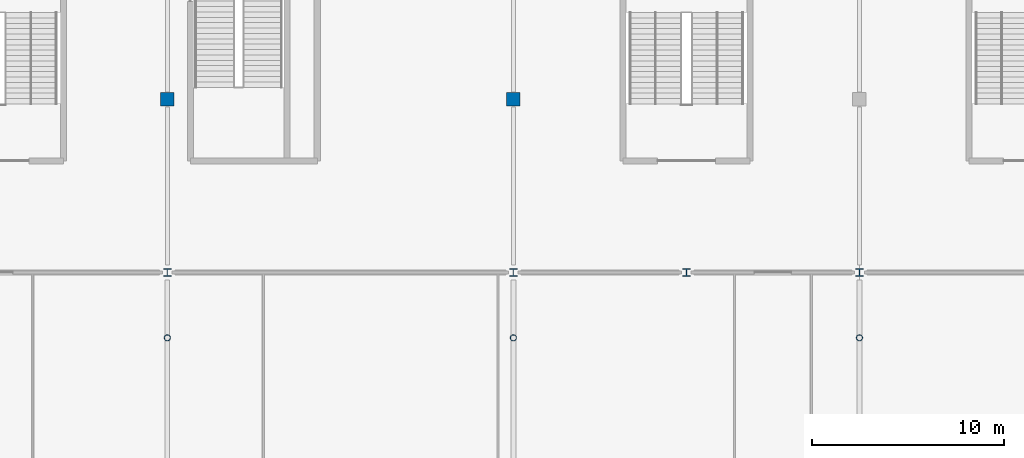
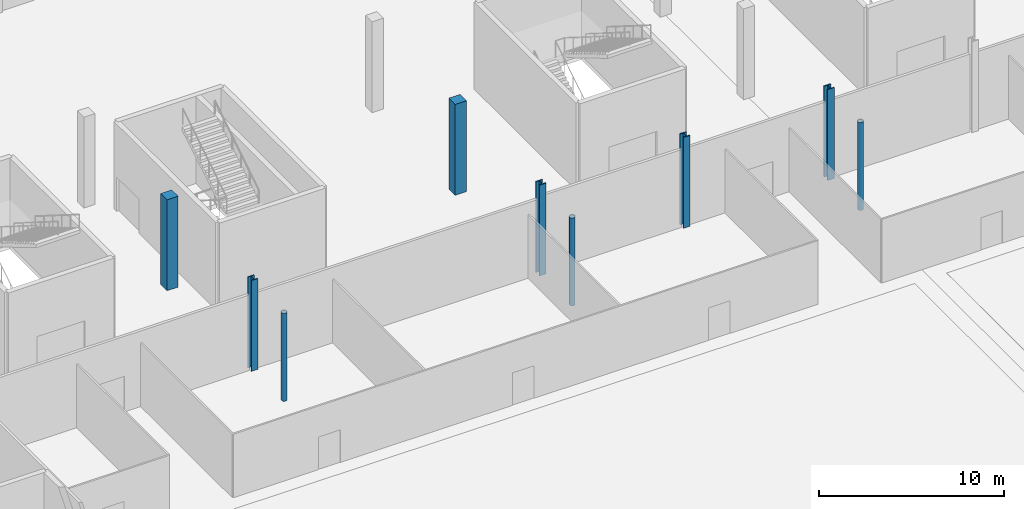
# One storey, part 7 of 84: 9 columns.
"""IFC4 building model written with IfcOpenShell, lengths in metres."""

from ifc_helpers import new_model, si_unit, direction, frame, origin, origin_2d, place, context, subcontext, project, spatial, rectangle, hollow_circle, i_section, extrude, material, material_profile, profile_set, type_object, element, save


model = new_model("IFC4")

# Units and contexts
model_context = context("Model", 3, precision=1e-05, world=origin(), true_north=direction((0.0, 1.0)))
body_context = subcontext(model_context, "Body", "Model", "MODEL_VIEW")
ifc_project = project(units=[si_unit("LENGTHUNIT", "METRE"), si_unit("AREAUNIT", "SQUARE_METRE"), si_unit("VOLUMEUNIT", "CUBIC_METRE"), si_unit("PLANEANGLEUNIT", "RADIAN"), si_unit("MASSUNIT", "GRAM", prefix="KILO")], contexts=[model_context])

# Site, building, storey
site_placement = place(None, origin())
site = spatial("IfcSite", under=ifc_project, at=site_placement, CompositionType="ELEMENT")
building_placement = place(site_placement, origin())
building = spatial("IfcBuilding", under=site, at=building_placement, Name="Kisiwana Market Hall", CompositionType="ELEMENT")
storey_placement = place(building_placement, origin())
storey = spatial("IfcBuildingStorey", under=building, at=storey_placement, Name="L00", CompositionType="ELEMENT", Elevation=0.0)

# Columns
ifc_material_1 = material(Name="Concrete C40/50", Category="concrete")
ifc_material_profile_1 = material_profile(ifc_material_1, rectangle(XDim=0.699951171875, YDim=0.699951171875, at=origin_2d()), Name="RC 700x700")
ifc_profile_set_1 = profile_set([ifc_material_profile_1], Name="Concrete C40/50")
column_type_1 = type_object("IfcColumnType", Name="COL-RC-POD-700", PredefinedType="COLUMN", material=ifc_profile_set_1)
for number, where, z_axis, x_axis, name in (
    (1, (63.0, 93.0, 0.0), (0.0, 0.0, 1.0), (1.0, 0.0, 0.0), "Column M/8 (L00) C-0240"),
    (2, (81.0, 93.0, 0.0), (0.0, 0.0, 1.0), (1.0, 0.0, 0.0), "Column M/10 (L00) C-0249"),
):
    element("IfcColumn", number, at=place(storey_placement, frame(where, z_axis=z_axis, x_axis=x_axis)), inside=storey, type_object=column_type_1, Name=name, PredefinedType="COLUMN", context=body_context, shape_type="SweptSolid", body=[
        extrude(rectangle(XDim=0.699951171875, YDim=0.699951171875, at=origin_2d()), origin(), (0.0, 0.0, 1.0), 6.0),
    ])
ifc_material_2 = material(Name="Steel S355", Category="steel")
ifc_material_profile_2 = material_profile(ifc_material_2, hollow_circle(Radius=0.161865234375, WallThickness=0.01611328125, at=origin_2d()), Name="CHS 323.9x16.0")
ifc_profile_set_2 = profile_set([ifc_material_profile_2], Name="Steel S355")
column_type_2 = type_object("IfcColumnType", Name="COL-STL-CHS324", PredefinedType="COLUMN", material=ifc_profile_set_2)
for number, where, z_axis, x_axis, name in (
    (3, (63.0, 80.60009765625, 0.0), (0.0, 0.0, 1.0), (1.0, 0.0, 0.0), "Gallery post L/8 (L00) C-0335"),
    (4, (81.0, 80.60009765625, 0.0), (0.0, 0.0, 1.0), (1.0, 0.0, 0.0), "Gallery post L/10 (L00) C-0337"),
    (5, (99.0, 80.60009765625, 0.0), (0.0, 0.0, 1.0), (1.0, 0.0, 0.0), "Gallery post L/12 (L00) C-0339"),
):
    element("IfcColumn", number, at=place(storey_placement, frame(where, z_axis=z_axis, x_axis=x_axis)), inside=storey, type_object=column_type_2, Name=name, PredefinedType="COLUMN", context=body_context, shape_type="SweptSolid", body=[
        extrude(hollow_circle(Radius=0.161865234375, WallThickness=0.01611328125, at=origin_2d()), origin(), (0.0, 0.0, 1.0), 5.800048828125),
    ])
ifc_material_3 = material(Name="Steel S355", Category="steel")
ifc_material_profile_3 = material_profile(ifc_material_3, i_section(OverallWidth=0.412109375, OverallDepth=0.43505859375, WebThickness=0.035888671875, FlangeThickness=0.05810546875, at=origin_2d()), Name="HD 400x463")
ifc_profile_set_3 = profile_set([ifc_material_profile_3], Name="Steel S355")
column_type_3 = type_object("IfcColumnType", Name="COL-STL-HD463", PredefinedType="COLUMN", material=ifc_profile_set_3)
for number, where, z_axis, x_axis, name in (
    (6, (63.0, 84.0, 0.0), (0.0, 0.0, 1.0), (1.0, 0.0, 0.0), "Column L/8 (L00) C-0239"),
    (7, (81.0, 84.0, 0.0), (0.0, 0.0, 1.0), (1.0, 0.0, 0.0), "Column L/10 (L00) C-0248"),
    (8, (90.0, 84.0, 0.0), (0.0, 0.0, 1.0), (1.0, 0.0, 0.0), "Column L/11 (L00) C-0254"),
    (9, (99.0, 84.0, 0.0), (0.0, 0.0, 1.0), (1.0, 0.0, 0.0), "Column L/12 (L00) C-0259"),
):
    element("IfcColumn", number, at=place(storey_placement, frame(where, z_axis=z_axis, x_axis=x_axis)), inside=storey, type_object=column_type_3, Name=name, PredefinedType="COLUMN", context=body_context, shape_type="SweptSolid", body=[
        extrude(i_section(OverallWidth=0.412109375, OverallDepth=0.43505859375, WebThickness=0.035888671875, FlangeThickness=0.05810546875, at=origin_2d()), origin(), (0.0, 0.0, 1.0), 6.0),
    ])

save(model, "model.ifc")
